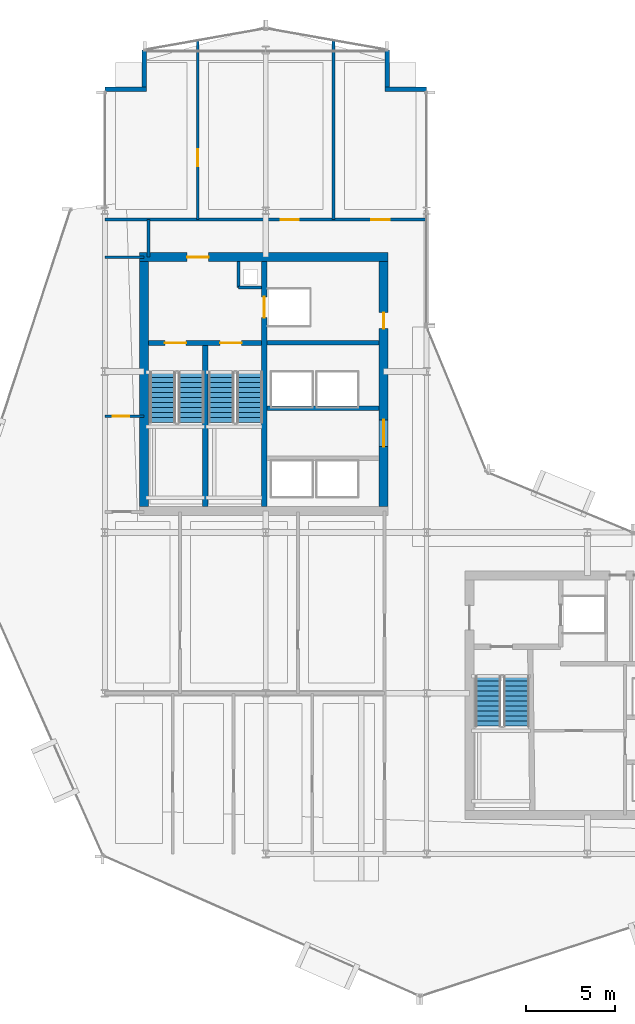
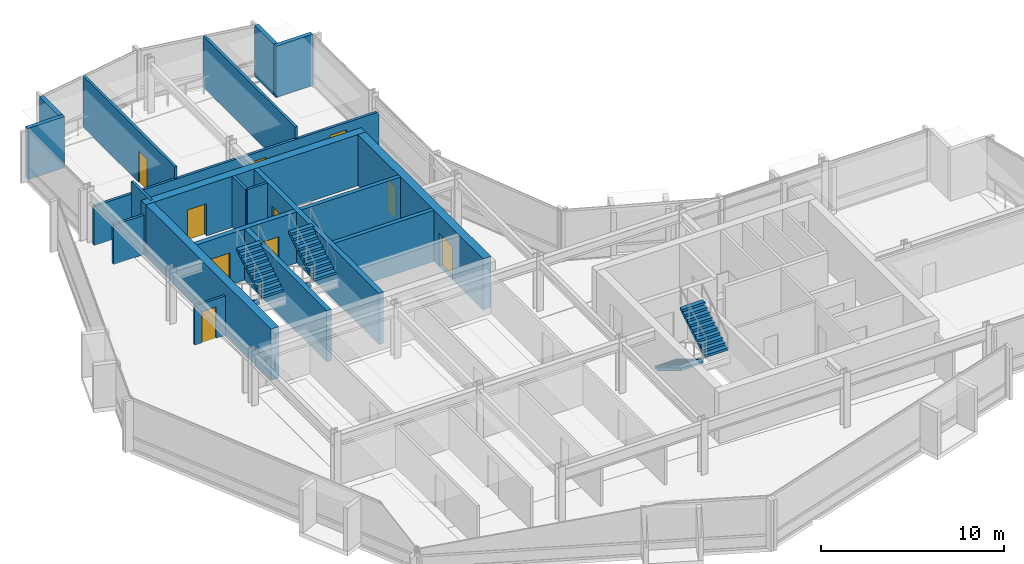
# One storey, part 23 of 28: 20 walls, 10 doors, 6 stair flights, 10 openings, 3 elements without a shape of their own.
"""IFC4 building model written with IfcOpenShell, lengths in metres."""

from ifc_helpers import new_model, si_unit, direction, frame, frame_2d, origin, place, context, subcontext, project, spatial, polyline, rectangle, outline, extrude, material, layer, layer_set, type_object, element, fill, aggregate, save


model = new_model("IFC4")

# Units and contexts
model_context = context("Model", 3, precision=1e-05, world=origin(), true_north=direction((0.0, 1.0)))
body_context = subcontext(model_context, "Body", "Model", "MODEL_VIEW")
ifc_project = project(units=[si_unit("LENGTHUNIT", "METRE"), si_unit("AREAUNIT", "SQUARE_METRE"), si_unit("VOLUMEUNIT", "CUBIC_METRE"), si_unit("PLANEANGLEUNIT", "RADIAN"), si_unit("MASSUNIT", "GRAM", prefix="KILO")], contexts=[model_context])

# Site, building, storey
site_placement = place(None, origin())
site = spatial("IfcSite", under=ifc_project, at=site_placement, CompositionType="ELEMENT")
building_placement = place(site_placement, origin())
building = spatial("IfcBuilding", under=site, at=building_placement, Name="Solvaryn Broadcast Tower", CompositionType="ELEMENT")
storey_placement = place(building_placement, frame((0.0, 0.0, 150.699951171875)))
storey = spatial("IfcBuildingStorey", under=building, at=storey_placement, Name="L37", CompositionType="ELEMENT", Elevation=150.699951171875)

# Wall, opening, door
ifc_material_1 = material(Name="Concrete f'c 70 MPa", Category="concrete")
ifc_layer_1 = layer(ifc_material_1, 0.5)
ifc_layer_set_1 = layer_set([ifc_layer_1], Name="CW-SHEAR-500")
wall_type_1 = type_object("IfcWallType", Name="CW-SHEAR-500", PredefinedType="SHEAR", material=ifc_layer_set_1)
wall_1_placement = place(storey_placement, frame((24.85009765625, 42.39990234375, 0.0), z_axis=(0.0, 0.0, 1.0), x_axis=(-1.0, 0.0, 0.0)))
wall_1 = element("IfcWall", 1, at=wall_1_placement, inside=storey, type_object=wall_type_1, Name="L37 West Core North Shear Wall", PredefinedType="SHEAR", context=body_context, shape_type="SweptSolid", body=[
    extrude(rectangle(XDim=13.900146484375, YDim=0.5, at=frame_2d((6.9501953125, 0.0))), origin(), (0.0, 0.0, 1.0), 3.420166015625),
])
opening_1_placement = place(wall_1_placement, frame((10.050048828125, 0.0, 0.0)))
opening_1 = element("IfcOpeningElement", 2, at=opening_1_placement, cuts=wall_1, Name="Opening FD90A", PredefinedType="OPENING", context=body_context, shape_type="SweptSolid", body=[
    extrude(rectangle(XDim=1.199951171875, YDim=2.14990234375, at=frame_2d((0.60009765625, 1.074951171875))), frame((0.0, 0.260009765625, 0.0), z_axis=(0.0, -1.0, 0.0), x_axis=(1.0, 0.0, 0.0)), (0.0, 0.0, 1.0), 0.52001953125),
])
ifc_material_2 = material(Name="Flush Acoustic Steel and Timber Door Assembly", Category="steel")
door_type_1 = type_object("IfcDoorType", Name="FD90-STAIR-1200X2150", OperationType="NOTDEFINED", PredefinedType="DOOR", material=ifc_material_2)
door_1_placement = place(opening_1_placement, origin())
door_1 = element("IfcDoor", 3, at=door_1_placement, inside=storey, type_object=door_type_1, Name="L37 West FSAE Lobby Corridor Door", OperationType="SINGLE_SWING_LEFT", OverallHeight=2.14990234375, OverallWidth=1.199951171875, PredefinedType="DOOR", context=body_context, shape_type="SweptSolid", body=[
    extrude(rectangle(XDim=1.199951171875, YDim=2.14990234375, at=frame_2d((0.60009765625, 1.074951171875))), frame((0.0, 0.02490234375, 0.0), z_axis=(0.0, -1.0, 0.0), x_axis=(1.0, 0.0, 0.0)), (0.0, 0.0, 1.0), 0.050048828125),
])
fill(opening_1, door_1)

# Wall
wall_2_placement = place(storey_placement, frame((11.199951171875, 42.14990234375, 0.0), z_axis=(0.0, 0.0, 1.0), x_axis=(0.0, -1.0, 0.0)))
element("IfcWall", 4, at=wall_2_placement, inside=storey, type_object=wall_type_1, Name="L37 West Core West Shear Wall", PredefinedType="SHEAR", context=body_context, shape_type="SweptSolid", body=[
    extrude(rectangle(XDim=13.699951171875, YDim=0.5, at=frame_2d((6.85009765625, 0.0))), origin(), (0.0, 0.0, 1.0), 3.420166015625),
])

# Wall, openings, doors
wall_3_placement = place(storey_placement, frame((24.60009765625, 28.449951171875, 0.0), z_axis=(0.0, 0.0, 1.0), x_axis=(0.0, 1.0, 0.0)))
wall_3 = element("IfcWall", 5, at=wall_3_placement, inside=storey, type_object=wall_type_1, Name="L37 West Core East Shear Wall", PredefinedType="SHEAR", context=body_context, shape_type="SweptSolid", body=[
    extrude(rectangle(XDim=13.699951171875, YDim=0.5, at=frame_2d((6.85009765625, 0.0))), origin(), (0.0, 0.0, 1.0), 3.420166015625),
])
opening_2_placement = place(wall_3_placement, frame((3.35009765625, 0.0, 0.0)))
opening_2 = element("IfcOpeningElement", 6, at=opening_2_placement, cuts=wall_3, Name="Opening FD60A", PredefinedType="OPENING", context=body_context, shape_type="SweptSolid", body=[
    extrude(rectangle(XDim=1.5, YDim=2.199951171875, at=frame_2d((0.75, 1.10009765625))), frame((0.0, 0.260009765625, 0.0), z_axis=(0.0, -1.0, 0.0), x_axis=(1.0, 0.0, 0.0)), (0.0, 0.0, 1.0), 0.52001953125),
])
opening_3_placement = place(wall_3_placement, frame((9.949951171875, 0.0, 0.0)))
opening_3 = element("IfcOpeningElement", 7, at=opening_3_placement, cuts=wall_3, Name="Opening FD60C", PredefinedType="OPENING", context=body_context, shape_type="SweptSolid", body=[
    extrude(rectangle(XDim=0.89990234375, YDim=2.10009765625, at=frame_2d((0.449951171875, 1.050048828125))), frame((0.0, 0.260009765625, 0.0), z_axis=(0.0, -1.0, 0.0), x_axis=(1.0, 0.0, 0.0)), (0.0, 0.0, 1.0), 0.52001953125),
])
ifc_material_3 = material(Name="Flush Acoustic Steel and Timber Door Assembly", Category="steel")
door_type_2 = type_object("IfcDoorType", Name="FD60-CORR-1500X2200", OperationType="NOTDEFINED", PredefinedType="DOOR", material=ifc_material_3)
door_2_placement = place(opening_2_placement, origin())
door_2 = element("IfcDoor", 8, at=door_2_placement, inside=storey, type_object=door_type_2, Name="L37 West Elevator Lobby Corridor Door", OperationType="DOUBLE_DOOR_SINGLE_SWING", OverallHeight=2.199951171875, OverallWidth=1.5, PredefinedType="DOOR", context=body_context, shape_type="SweptSolid", body=[
    extrude(rectangle(XDim=1.5, YDim=2.199951171875, at=frame_2d((0.75, 1.10009765625))), frame((0.0, 0.02490234375, 0.0), z_axis=(0.0, -1.0, 0.0), x_axis=(1.0, 0.0, 0.0)), (0.0, 0.0, 1.0), 0.050048828125),
])
fill(opening_2, door_2)
ifc_material_4 = material(Name="Flush Acoustic Steel and Timber Door Assembly", Category="steel")
door_type_3 = type_object("IfcDoorType", Name="FD60-SERV-900X2100", OperationType="NOTDEFINED", PredefinedType="DOOR", material=ifc_material_4)
door_3_placement = place(opening_3_placement, origin())
door_3 = element("IfcDoor", 9, at=door_3_placement, inside=storey, type_object=door_type_3, Name="L37 West Core Service Door 1", OperationType="SINGLE_SWING_LEFT", OverallHeight=2.10009765625, OverallWidth=0.89990234375, PredefinedType="DOOR", context=body_context, shape_type="SweptSolid", body=[
    extrude(rectangle(XDim=0.89990234375, YDim=2.10009765625, at=frame_2d((0.449951171875, 1.050048828125))), frame((0.0, 0.02490234375, 0.0), z_axis=(0.0, -1.0, 0.0), x_axis=(1.0, 0.0, 0.0)), (0.0, 0.0, 1.0), 0.050048828125),
])
fill(opening_3, door_3)

# Walls
ifc_material_5 = material(Name="Concrete f'c 50 MPa", Category="concrete")
ifc_layer_2 = layer(ifc_material_5, 0.260009765625)
ifc_layer_set_2 = layer_set([ifc_layer_2], Name="EW-PIER-260")
wall_type_2 = type_object("IfcWallType", Name="EW-PIER-260", PredefinedType="SOLIDWALL", material=ifc_layer_set_2)
wall_4_placement = place(storey_placement, frame((9.0, 51.800048828125, 0.0), z_axis=(0.0, 0.0, 1.0), x_axis=(1.0, 0.0, 0.0)))
element("IfcWall", 10, at=wall_4_placement, inside=storey, type_object=wall_type_2, Name="L37 Notched Corner Pier Wall NNW1", PredefinedType="SOLIDWALL", context=body_context, shape_type="SweptSolid", body=[
    extrude(rectangle(XDim=2.320068359375, YDim=0.260009765625, at=frame_2d((1.16015625, 0.0))), origin(), (0.0, 0.0, 1.0), 3.420166015625),
])
for number, where, z_axis, x_axis, name in (
    (11, (11.199951171875, 51.919921875, 0.0), (0.0, 0.0, 1.0), (0.0, 1.0, 0.0), "L37 Notched Corner Pier Wall NNW2"),
    (12, (24.800048828125, 54.0, 0.0), (0.0, 0.0, 1.0), (0.0, -1.0, 0.0), "L37 Notched Corner Pier Wall NNE1"),
):
    element("IfcWall", number, at=place(storey_placement, frame(where, z_axis=z_axis, x_axis=x_axis)), inside=storey, type_object=wall_type_2, Name=name, PredefinedType="SOLIDWALL", context=body_context, shape_type="SweptSolid", body=[
        extrude(rectangle(XDim=2.080078125, YDim=0.260009765625, at=frame_2d((1.0400390625, 0.0))), origin(), (0.0, 0.0, 1.0), 3.420166015625),
    ])
wall_5_placement = place(storey_placement, frame((24.679931640625, 51.800048828125, 0.0), z_axis=(0.0, 0.0, 1.0), x_axis=(1.0, 0.0, 0.0)))
element("IfcWall", 13, at=wall_5_placement, inside=storey, type_object=wall_type_2, Name="L37 Notched Corner Pier Wall NNE2", PredefinedType="SOLIDWALL", context=body_context, shape_type="SweptSolid", body=[
    extrude(rectangle(XDim=2.320068359375, YDim=0.260009765625, at=frame_2d((1.16015625, 0.0))), origin(), (0.0, 0.0, 1.0), 3.420166015625),
])
ifc_material_6 = material(Name="Metal-Stud Service Core Partition")
ifc_layer_3 = layer(ifc_material_6, 0.14990234375)
ifc_layer_set_3 = layer_set([ifc_layer_3], Name="IW-PART-150")
wall_type_3 = type_object("IfcWallType", Name="IW-PART-150", PredefinedType="PARTITIONING", material=ifc_layer_set_3)
wall_6_placement = place(storey_placement, frame((16.47998046875, 40.699951171875, 0.0), z_axis=(0.0, 0.0, 1.0), x_axis=(1.0, 0.0, 0.0)))
element("IfcWall", 14, at=wall_6_placement, inside=storey, type_object=wall_type_3, Name="L37 West Core Riser Shaft South Wall", PredefinedType="PARTITIONING", context=body_context, shape_type="SweptSolid", body=[
    extrude(rectangle(XDim=1.2900390625, YDim=0.14990234375, at=frame_2d((0.64501953125, 0.0))), origin(), (0.0, 0.0, 1.0), 3.420166015625),
])
wall_7_placement = place(storey_placement, frame((16.47998046875, 40.699951171875, 0.0), z_axis=(0.0, 0.0, 1.0), x_axis=(0.0, 1.0, 0.0)))
element("IfcWall", 15, at=wall_7_placement, inside=storey, type_object=wall_type_3, Name="L37 West Core Riser Shaft West Wall", PredefinedType="PARTITIONING", context=body_context, shape_type="SweptSolid", body=[
    extrude(rectangle(XDim=1.449951171875, YDim=0.14990234375, at=frame_2d((0.72509765625, 0.0))), origin(), (0.0, 0.0, 1.0), 3.420166015625),
])

# Wall, opening, door
wall_8_placement = place(storey_placement, frame((9.0, 33.5, 0.0), z_axis=(0.0, 0.0, 1.0), x_axis=(1.0, 0.0, 0.0)))
wall_8 = element("IfcWall", 16, at=wall_8_placement, inside=storey, type_object=wall_type_3, Name="L37 Interior Partition IW-L37-WM-M", PredefinedType="PARTITIONING", context=body_context, shape_type="SweptSolid", body=[
    extrude(rectangle(XDim=2.199951171875, YDim=0.14990234375, at=frame_2d((1.10009765625, 0.0))), origin(), (0.0, 0.0, 1.0), 2.634033203125),
])
opening_4_placement = place(wall_8_placement, frame((0.449951171875, 0.0, 0.0)))
opening_4 = element("IfcOpeningElement", 17, at=opening_4_placement, cuts=wall_8, Name="Opening FD60C", PredefinedType="OPENING", context=body_context, shape_type="SweptSolid", body=[
    extrude(rectangle(XDim=0.89990234375, YDim=2.10009765625, at=frame_2d((0.449951171875, 1.050048828125))), frame((0.0, 0.0849609375, 0.0), z_axis=(0.0, -1.0, 0.0), x_axis=(1.0, 0.0, 0.0)), (0.0, 0.0, 1.0), 0.169921875),
])
door_4_placement = place(opening_4_placement, origin())
door_4 = element("IfcDoor", 18, at=door_4_placement, inside=storey, type_object=door_type_3, Name="L37 Door DR-L37-WM1", OperationType="SINGLE_SWING_LEFT", OverallHeight=2.10009765625, OverallWidth=0.89990234375, PredefinedType="DOOR", context=body_context, shape_type="SweptSolid", body=[
    extrude(rectangle(XDim=0.89990234375, YDim=2.10009765625, at=frame_2d((0.449951171875, 1.050048828125))), frame((0.0, 0.02490234375, 0.0), z_axis=(0.0, -1.0, 0.0), x_axis=(1.0, 0.0, 0.0)), (0.0, 0.0, 1.0), 0.050048828125),
])
fill(opening_4, door_4)

# Walls
ifc_material_7 = material(Name="Metal-Stud Gypsum Office Partition")
ifc_layer_4 = layer(ifc_material_7, 0.159912109375)
ifc_layer_set_4 = layer_set([ifc_layer_4], Name="IW-PART-160")
wall_type_4 = type_object("IfcWallType", Name="IW-PART-160", PredefinedType="PARTITIONING", material=ifc_layer_set_4)
wall_9_placement = place(storey_placement, frame((9.0, 42.39990234375, 0.0), z_axis=(0.0, 0.0, 1.0), x_axis=(1.0, 0.0, 0.0)))
element("IfcWall", 19, at=wall_9_placement, inside=storey, type_object=wall_type_4, Name="L37 Interior Partition IW-L37-WM-N", PredefinedType="PARTITIONING", context=body_context, shape_type="SweptSolid", body=[
    extrude(rectangle(XDim=2.199951171875, YDim=0.159912109375, at=frame_2d((1.10009765625, 0.0))), origin(), (0.0, 0.0, 1.0), 2.634033203125),
])
wall_10_placement = place(storey_placement, frame((11.449951171875, 42.39990234375, 0.0), z_axis=(0.0, 0.0, 1.0), x_axis=(0.0, 1.0, 0.0)))
element("IfcWall", 20, at=wall_10_placement, inside=storey, type_object=wall_type_4, Name="L37 Interior Partition IW-L37-WM-E", PredefinedType="PARTITIONING", context=body_context, shape_type="SweptSolid", body=[
    extrude(rectangle(XDim=2.10009765625, YDim=0.159912109375, at=frame_2d((1.050048828125, 0.0))), origin(), (0.0, 0.0, 1.0), 3.420166015625),
])

# Wall, openings, doors
wall_11_placement = place(storey_placement, frame((9.0, 44.5, 0.0), z_axis=(0.0, 0.0, 1.0), x_axis=(1.0, 0.0, 0.0)))
wall_11 = element("IfcWall", 21, at=wall_11_placement, inside=storey, type_object=wall_type_4, Name="L37 Interior Partition IW-L37-NW-SB", PredefinedType="PARTITIONING", context=body_context, shape_type="SweptSolid", body=[
    extrude(rectangle(XDim=18.0, YDim=0.159912109375, at=frame_2d((9.0, 0.0))), origin(), (0.0, 0.0, 1.0), 2.634033203125),
])
opening_5_placement = place(wall_11_placement, frame((9.85009765625, 0.0, 0.0)))
opening_5 = element("IfcOpeningElement", 22, at=opening_5_placement, cuts=wall_11, Name="Opening ID02", PredefinedType="OPENING", context=body_context, shape_type="SweptSolid", body=[
    extrude(rectangle(XDim=1.0, YDim=2.10009765625, at=frame_2d((0.5, 1.050048828125))), frame((0.0, 0.090087890625, 0.0), z_axis=(0.0, -1.0, 0.0), x_axis=(1.0, 0.0, 0.0)), (0.0, 0.0, 1.0), 0.179931640625),
])
opening_6_placement = place(wall_11_placement, frame((14.89990234375, 0.0, 0.0)))
opening_6 = element("IfcOpeningElement", 23, at=opening_6_placement, cuts=wall_11, Name="Opening ID03", PredefinedType="OPENING", context=body_context, shape_type="SweptSolid", body=[
    extrude(rectangle(XDim=1.050048828125, YDim=2.14990234375, at=frame_2d((0.52490234375, 1.074951171875))), frame((0.0, 0.090087890625, 0.0), z_axis=(0.0, -1.0, 0.0), x_axis=(1.0, 0.0, 0.0)), (0.0, 0.0, 1.0), 0.179931640625),
])
ifc_material_8 = material(Name="Flush Acoustic Steel and Timber Door Assembly", Category="steel")
door_type_4 = type_object("IfcDoorType", Name="ID-02-1000X2100", OperationType="NOTDEFINED", PredefinedType="DOOR", material=ifc_material_8)
door_5_placement = place(opening_5_placement, origin())
door_5 = element("IfcDoor", 24, at=door_5_placement, inside=storey, type_object=door_type_4, Name="L37 Door DR-L37-NW-2", OperationType="SINGLE_SWING_RIGHT", OverallHeight=2.10009765625, OverallWidth=1.0, PredefinedType="DOOR", context=body_context, shape_type="SweptSolid", body=[
    extrude(rectangle(XDim=1.0, YDim=2.10009765625, at=frame_2d((0.5, 1.050048828125))), frame((0.0, 0.02490234375, 0.0), z_axis=(0.0, -1.0, 0.0), x_axis=(1.0, 0.0, 0.0)), (0.0, 0.0, 1.0), 0.050048828125),
])
fill(opening_5, door_5)
ifc_material_9 = material(Name="Flush Acoustic Steel and Timber Door Assembly", Category="steel")
door_type_5 = type_object("IfcDoorType", Name="ID-03-1050X2150", OperationType="NOTDEFINED", PredefinedType="DOOR", material=ifc_material_9)
door_6_placement = place(opening_6_placement, origin())
door_6 = element("IfcDoor", 25, at=door_6_placement, inside=storey, type_object=door_type_5, Name="L37 Door DR-L37-NW-3", OperationType="SINGLE_SWING_LEFT", OverallHeight=2.14990234375, OverallWidth=1.050048828125, PredefinedType="DOOR", context=body_context, shape_type="SweptSolid", body=[
    extrude(rectangle(XDim=1.050048828125, YDim=2.14990234375, at=frame_2d((0.52490234375, 1.074951171875))), frame((0.0, 0.02490234375, 0.0), z_axis=(0.0, -1.0, 0.0), x_axis=(1.0, 0.0, 0.0)), (0.0, 0.0, 1.0), 0.050048828125),
])
fill(opening_6, door_6)

# Wall, opening, door
wall_12_placement = place(storey_placement, frame((14.199951171875, 44.5, 0.0), z_axis=(0.0, 0.0, 1.0), x_axis=(0.0, 1.0, 0.0)))
wall_12 = element("IfcWall", 26, at=wall_12_placement, inside=storey, type_object=wall_type_4, Name="L37 Interior Partition IW-L37-NW-V1", PredefinedType="PARTITIONING", context=body_context, shape_type="SweptSolid", body=[
    extrude(rectangle(XDim=10.029052734375, YDim=0.159912109375, at=frame_2d((5.0146484375, 0.0))), origin(), (0.0, 0.0, 1.0), 3.420166015625),
])
opening_7_placement = place(wall_12_placement, frame((3.0, 0.0, 0.0)))
opening_7 = element("IfcOpeningElement", 27, at=opening_7_placement, cuts=wall_12, Name="Opening ID01", PredefinedType="OPENING", context=body_context, shape_type="SweptSolid", body=[
    extrude(rectangle(XDim=0.949951171875, YDim=2.10009765625, at=frame_2d((0.47509765625, 1.050048828125))), frame((0.0, 0.090087890625, 0.0), z_axis=(0.0, -1.0, 0.0), x_axis=(1.0, 0.0, 0.0)), (0.0, 0.0, 1.0), 0.179931640625),
])
ifc_material_10 = material(Name="Flush Acoustic Steel and Timber Door Assembly", Category="steel")
door_type_6 = type_object("IfcDoorType", Name="ID-01-950X2100", OperationType="NOTDEFINED", PredefinedType="DOOR", material=ifc_material_10)
door_7_placement = place(opening_7_placement, origin())
door_7 = element("IfcDoor", 28, at=door_7_placement, inside=storey, type_object=door_type_6, Name="L37 Door DR-L37-NW-C1", OperationType="SINGLE_SWING_LEFT", OverallHeight=2.10009765625, OverallWidth=0.949951171875, PredefinedType="DOOR", context=body_context, shape_type="SweptSolid", body=[
    extrude(rectangle(XDim=0.949951171875, YDim=2.10009765625, at=frame_2d((0.47509765625, 1.050048828125))), frame((0.0, 0.02490234375, 0.0), z_axis=(0.0, -1.0, 0.0), x_axis=(1.0, 0.0, 0.0)), (0.0, 0.0, 1.0), 0.050048828125),
])
fill(opening_7, door_7)

# Walls
wall_13_placement = place(storey_placement, frame((21.800048828125, 44.5, 0.0), z_axis=(0.0, 0.0, 1.0), x_axis=(0.0, 1.0, 0.0)))
element("IfcWall", 29, at=wall_13_placement, inside=storey, type_object=wall_type_4, Name="L37 Interior Partition IW-L37-NW-V2", PredefinedType="PARTITIONING", context=body_context, shape_type="SweptSolid", body=[
    extrude(rectangle(XDim=10.029052734375, YDim=0.159912109375, at=frame_2d((5.0146484375, 0.0))), origin(), (0.0, 0.0, 1.0), 3.420166015625),
])
ifc_material_11 = material(Name="Concrete f'c 60 MPa", Category="concrete")
ifc_layer_5 = layer(ifc_material_11, 0.25)
ifc_layer_set_5 = layer_set([ifc_layer_5], Name="SW-SHAFT-250")
wall_type_5 = type_object("IfcWallType", Name="SW-SHAFT-250", PredefinedType="PARTITIONING", material=ifc_layer_set_5)
for number, where, z_axis, x_axis, name in (
    (30, (18.070068359375, 37.60009765625, 0.0), (0.0, 0.0, 1.0), (1.0, 0.0, 0.0), "L37 West Core FSAE Hoistway Front Wall"),
    (31, (24.35009765625, 33.949951171875, 0.0), (0.0, 0.0, 1.0), (-1.0, 0.0, 0.0), "L37 High-Rise Lift Bank North Wall"),
):
    element("IfcWall", number, at=place(storey_placement, frame(where, z_axis=z_axis, x_axis=x_axis)), inside=storey, type_object=wall_type_5, Name=name, PredefinedType="PARTITIONING", context=body_context, shape_type="SweptSolid", body=[
        extrude(rectangle(XDim=6.280029296875, YDim=0.25, at=frame_2d((3.14013671875, 0.0))), origin(), (0.0, 0.0, 1.0), 3.420166015625),
    ])
ifc_material_12 = material(Name="Concrete f'c 70 MPa", Category="concrete")
ifc_layer_6 = layer(ifc_material_12, 0.300048828125)
ifc_layer_set_6 = layer_set([ifc_layer_6], Name="SW-SHAFT-300")
wall_type_6 = type_object("IfcWallType", Name="SW-SHAFT-300", PredefinedType="SHEAR", material=ifc_layer_set_6)
wall_14_placement = place(storey_placement, frame((14.6201171875, 28.449951171875, 0.0), z_axis=(0.0, 0.0, 1.0), x_axis=(0.0, 1.0, 0.0)))
element("IfcWall", 32, at=wall_14_placement, inside=storey, type_object=wall_type_6, Name="L37 Stair 1-2 Dividing Wall", PredefinedType="SHEAR", context=body_context, shape_type="SweptSolid", body=[
    extrude(rectangle(XDim=9.0, YDim=0.300048828125, at=frame_2d((4.5, 0.0))), origin(), (0.0, 0.0, 1.0), 3.420166015625),
])

# Wall, opening, door
wall_15_placement = place(storey_placement, frame((17.919921875, 42.14990234375, 0.0), z_axis=(0.0, 0.0, 1.0), x_axis=(0.0, -1.0, 0.0)))
wall_15 = element("IfcWall", 33, at=wall_15_placement, inside=storey, type_object=wall_type_6, Name="L37 West Core Stair-Lobby Shear Wall", PredefinedType="SHEAR", context=body_context, shape_type="SweptSolid", body=[
    extrude(rectangle(XDim=13.699951171875, YDim=0.300048828125, at=frame_2d((6.85009765625, 0.0))), origin(), (0.0, 0.0, 1.0), 3.420166015625),
])
opening_8_placement = place(wall_15_placement, frame((1.97509765625, 0.0, 0.0)))
opening_8 = element("IfcOpeningElement", 34, at=opening_8_placement, cuts=wall_15, Name="Opening LD01", PredefinedType="OPENING", context=body_context, shape_type="SweptSolid", body=[
    extrude(rectangle(XDim=1.14990234375, YDim=2.14990234375, at=frame_2d((0.574951171875, 1.074951171875))), frame((0.0, 0.159912109375, 0.0), z_axis=(0.0, -1.0, 0.0), x_axis=(1.0, 0.0, 0.0)), (0.0, 0.0, 1.0), 0.320068359375),
])
ifc_material_13 = material(Name="Flush Acoustic Steel and Timber Door Assembly", Category="steel")
door_type_7 = type_object("IfcDoorType", Name="LD-LIFT-1150X2150", OperationType="NOTDEFINED", PredefinedType="DOOR", material=ifc_material_13)
door_8_placement = place(opening_8_placement, origin())
door_8 = element("IfcDoor", 35, at=door_8_placement, inside=storey, type_object=door_type_7, Name="L37 FL1 Lift Landing Door", OperationType="DOUBLE_DOOR_SLIDING", OverallHeight=2.14990234375, OverallWidth=1.14990234375, PredefinedType="DOOR", context=body_context, shape_type="SweptSolid", body=[
    extrude(rectangle(XDim=1.14990234375, YDim=2.14990234375, at=frame_2d((0.574951171875, 1.074951171875))), frame((0.0, 0.02490234375, 0.0), z_axis=(0.0, -1.0, 0.0), x_axis=(1.0, 0.0, 0.0)), (0.0, 0.0, 1.0), 0.050048828125),
])
fill(opening_8, door_8)

# Wall, openings, doors
wall_16_placement = place(storey_placement, frame((17.77001953125, 37.60009765625, 0.0), z_axis=(0.0, 0.0, 1.0), x_axis=(-1.0, 0.0, 0.0)))
wall_16 = element("IfcWall", 36, at=wall_16_placement, inside=storey, type_object=wall_type_6, Name="L37 West Core FSAE Lobby South Wall", PredefinedType="SHEAR", context=body_context, shape_type="SweptSolid", body=[
    extrude(rectangle(XDim=6.320068359375, YDim=0.300048828125, at=frame_2d((3.16015625, 0.0))), origin(), (0.0, 0.0, 1.0), 3.420166015625),
])
opening_9_placement = place(wall_16_placement, frame((4.219970703125, 0.0, 0.0)))
opening_9 = element("IfcOpeningElement", 37, at=opening_9_placement, cuts=wall_16, Name="Opening FD90A", PredefinedType="OPENING", context=body_context, shape_type="SweptSolid", body=[
    extrude(rectangle(XDim=1.199951171875, YDim=2.14990234375, at=frame_2d((0.60009765625, 1.074951171875))), frame((0.0, 0.159912109375, 0.0), z_axis=(0.0, -1.0, 0.0), x_axis=(1.0, 0.0, 0.0)), (0.0, 0.0, 1.0), 0.320068359375),
])
opening_10_placement = place(wall_16_placement, frame((1.1201171875, 0.0, 0.0)))
opening_10 = element("IfcOpeningElement", 38, at=opening_10_placement, cuts=wall_16, Name="Opening FD90A", PredefinedType="OPENING", context=body_context, shape_type="SweptSolid", body=[
    extrude(rectangle(XDim=1.199951171875, YDim=2.14990234375, at=frame_2d((0.60009765625, 1.074951171875))), frame((0.0, 0.159912109375, 0.0), z_axis=(0.0, -1.0, 0.0), x_axis=(1.0, 0.0, 0.0)), (0.0, 0.0, 1.0), 0.320068359375),
])
door_9_placement = place(opening_9_placement, origin())
door_9 = element("IfcDoor", 39, at=door_9_placement, inside=storey, type_object=door_type_1, Name="L37 Stair 1 Fire Door", OperationType="SINGLE_SWING_LEFT", OverallHeight=2.14990234375, OverallWidth=1.199951171875, PredefinedType="DOOR", context=body_context, shape_type="SweptSolid", body=[
    extrude(rectangle(XDim=1.199951171875, YDim=2.14990234375, at=frame_2d((0.60009765625, 1.074951171875))), frame((0.0, 0.02490234375, 0.0), z_axis=(0.0, -1.0, 0.0), x_axis=(1.0, 0.0, 0.0)), (0.0, 0.0, 1.0), 0.050048828125),
])
fill(opening_9, door_9)
door_10_placement = place(opening_10_placement, origin())
door_10 = element("IfcDoor", 40, at=door_10_placement, inside=storey, type_object=door_type_1, Name="L37 Stair 2 Fire Door", OperationType="SINGLE_SWING_RIGHT", OverallHeight=2.14990234375, OverallWidth=1.199951171875, PredefinedType="DOOR", context=body_context, shape_type="SweptSolid", body=[
    extrude(rectangle(XDim=1.199951171875, YDim=2.14990234375, at=frame_2d((0.60009765625, 1.074951171875))), frame((0.0, 0.02490234375, 0.0), z_axis=(0.0, -1.0, 0.0), x_axis=(1.0, 0.0, 0.0)), (0.0, 0.0, 1.0), 0.050048828125),
])
fill(opening_10, door_10)

# Stair, stair flights
ifc_material_14 = material(Name="Concrete f'c 60 MPa", Category="concrete")
stair_type = type_object("IfcStairType", Name="ST-CORE", PredefinedType="HALF_TURN_STAIR", material=ifc_material_14)
stair_1_placement = place(storey_placement, origin())
stair_1 = element("IfcStair", 41, at=stair_1_placement, inside=storey, type_object=stair_type, Name="L37 ST1", PredefinedType="HALF_TURN_STAIR")
ifc_material_15 = material(Name="Concrete f'c 60 MPa", Category="concrete")
ifc_layer_7 = layer(ifc_material_15, 0.159912109375)
ifc_layer_set_7 = layer_set([ifc_layer_7], Name="SF-CORE")
stair_flight_type = type_object("IfcStairFlightType", Name="SF-CORE", PredefinedType="STRAIGHT", material=ifc_layer_set_7)
stair_flight_1_placement = place(storey_placement, frame((12.239990234375, 35.9599609375, 0.0), z_axis=(0.0, 0.0, 1.0), x_axis=(0.0, -1.0, 0.0)))
stair_flight_1 = element("IfcStairFlight", 42, at=stair_flight_1_placement, type_object=stair_flight_type, Name="ST1 flight 1", NumberOfRisers=11, NumberOfTreads=10, PredefinedType="STRAIGHT", RiserHeight=0.168181818, TreadLength=0.28, context=body_context, shape_type="SweptSolid", body=[
    extrude(outline(polyline([(0.0, 0.0), (0.0, 0.168212890625), (0.280029296875, 0.168212890625), (0.280029296875, 0.33642578125), (0.56005859375, 0.33642578125), (0.56005859375, 0.504638671875), (0.840087890625, 0.504638671875), (0.840087890625, 0.672607421875), (1.1201171875, 0.672607421875), (1.1201171875, 0.8408203125), (1.39990234375, 0.8408203125), (1.39990234375, 1.009033203125), (1.679931640625, 1.009033203125), (1.679931640625, 1.17724609375), (1.9599609375, 1.17724609375), (1.9599609375, 1.345458984375), (2.239990234375, 1.345458984375), (2.239990234375, 1.513671875), (2.52001953125, 1.513671875), (2.52001953125, 1.681884765625), (2.800048828125, 1.681884765625), (2.800048828125, 1.85009765625), (2.800048828125, 1.5068359375), (0.291015625, 0.0), (0.0, 0.0)])), frame((0.0, 0.719970703125, 0.0), z_axis=(0.0, -1.0, 0.0), x_axis=(1.0, 0.0, 0.0)), (0.0, 0.0, 1.0), 1.43994140625),
])
stair_flight_2_placement = place(storey_placement, frame((13.830078125, 33.159912109375, 1.85009765625), z_axis=(0.0, 0.0, 1.0), x_axis=(0.0, 1.0, 0.0)))
stair_flight_2 = element("IfcStairFlight", 43, at=stair_flight_2_placement, type_object=stair_flight_type, Name="ST1 flight 2", NumberOfRisers=11, NumberOfTreads=10, PredefinedType="STRAIGHT", RiserHeight=0.168181818, TreadLength=0.28, context=body_context, shape_type="SweptSolid", body=[
    extrude(outline(polyline([(0.0, 0.0), (0.0, 0.168212890625), (0.280029296875, 0.168212890625), (0.280029296875, 0.33642578125), (0.56005859375, 0.33642578125), (0.56005859375, 0.504638671875), (0.840087890625, 0.504638671875), (0.840087890625, 0.672607421875), (1.1201171875, 0.672607421875), (1.1201171875, 0.8408203125), (1.39990234375, 0.8408203125), (1.39990234375, 1.009033203125), (1.679931640625, 1.009033203125), (1.679931640625, 1.17724609375), (1.9599609375, 1.17724609375), (1.9599609375, 1.345458984375), (2.239990234375, 1.345458984375), (2.239990234375, 1.513671875), (2.52001953125, 1.513671875), (2.52001953125, 1.681884765625), (2.800048828125, 1.681884765625), (2.800048828125, 1.85009765625), (2.800048828125, 1.5068359375), (0.291015625, 0.0), (0.0, 0.0)])), frame((0.0, 0.719970703125, 0.0), z_axis=(0.0, -1.0, 0.0), x_axis=(1.0, 0.0, 0.0)), (0.0, 0.0, 1.0), 1.43994140625),
])
aggregate(stair_1, [stair_flight_1, stair_flight_2])

stair_2_placement = place(storey_placement, origin())
stair_2 = element("IfcStair", 44, at=stair_2_placement, inside=storey, type_object=stair_type, Name="L37 ST2", PredefinedType="HALF_TURN_STAIR")
stair_flight_3_placement = place(storey_placement, frame((15.52001953125, 35.9599609375, 0.0), z_axis=(0.0, 0.0, 1.0), x_axis=(0.0, -1.0, 0.0)))
stair_flight_3 = element("IfcStairFlight", 45, at=stair_flight_3_placement, type_object=stair_flight_type, Name="ST2 flight 1", NumberOfRisers=11, NumberOfTreads=10, PredefinedType="STRAIGHT", RiserHeight=0.168181818, TreadLength=0.28, context=body_context, shape_type="SweptSolid", body=[
    extrude(outline(polyline([(0.0, 0.0), (0.0, 0.168212890625), (0.280029296875, 0.168212890625), (0.280029296875, 0.33642578125), (0.56005859375, 0.33642578125), (0.56005859375, 0.504638671875), (0.840087890625, 0.504638671875), (0.840087890625, 0.672607421875), (1.1201171875, 0.672607421875), (1.1201171875, 0.8408203125), (1.39990234375, 0.8408203125), (1.39990234375, 1.009033203125), (1.679931640625, 1.009033203125), (1.679931640625, 1.17724609375), (1.9599609375, 1.17724609375), (1.9599609375, 1.345458984375), (2.239990234375, 1.345458984375), (2.239990234375, 1.513671875), (2.52001953125, 1.513671875), (2.52001953125, 1.681884765625), (2.800048828125, 1.681884765625), (2.800048828125, 1.85009765625), (2.800048828125, 1.5068359375), (0.291015625, 0.0), (0.0, 0.0)])), frame((0.0, 0.719970703125, 0.0), z_axis=(0.0, -1.0, 0.0), x_axis=(1.0, 0.0, 0.0)), (0.0, 0.0, 1.0), 1.43994140625),
])
stair_flight_4_placement = place(storey_placement, frame((17.110107421875, 33.159912109375, 1.85009765625), z_axis=(0.0, 0.0, 1.0), x_axis=(0.0, 1.0, 0.0)))
stair_flight_4 = element("IfcStairFlight", 46, at=stair_flight_4_placement, type_object=stair_flight_type, Name="ST2 flight 2", NumberOfRisers=11, NumberOfTreads=10, PredefinedType="STRAIGHT", RiserHeight=0.168181818, TreadLength=0.28, context=body_context, shape_type="SweptSolid", body=[
    extrude(outline(polyline([(0.0, 0.0), (0.0, 0.168212890625), (0.280029296875, 0.168212890625), (0.280029296875, 0.33642578125), (0.56005859375, 0.33642578125), (0.56005859375, 0.504638671875), (0.840087890625, 0.504638671875), (0.840087890625, 0.672607421875), (1.1201171875, 0.672607421875), (1.1201171875, 0.8408203125), (1.39990234375, 0.8408203125), (1.39990234375, 1.009033203125), (1.679931640625, 1.009033203125), (1.679931640625, 1.17724609375), (1.9599609375, 1.17724609375), (1.9599609375, 1.345458984375), (2.239990234375, 1.345458984375), (2.239990234375, 1.513671875), (2.52001953125, 1.513671875), (2.52001953125, 1.681884765625), (2.800048828125, 1.681884765625), (2.800048828125, 1.85009765625), (2.800048828125, 1.5068359375), (0.291015625, 0.0), (0.0, 0.0)])), frame((0.0, 0.719970703125, 0.0), z_axis=(0.0, -1.0, 0.0), x_axis=(1.0, 0.0, 0.0)), (0.0, 0.0, 1.0), 1.43994140625),
])
aggregate(stair_2, [stair_flight_3, stair_flight_4])

stair_3_placement = place(storey_placement, origin())
stair_3 = element("IfcStair", 47, at=stair_3_placement, inside=storey, type_object=stair_type, Name="L37 ST3", PredefinedType="HALF_TURN_STAIR")
stair_flight_5_placement = place(storey_placement, frame((30.43994140625, 18.9599609375, 0.0), z_axis=(0.0, 0.0, 1.0), x_axis=(0.0, -1.0, 0.0)))
stair_flight_5 = element("IfcStairFlight", 48, at=stair_flight_5_placement, type_object=stair_flight_type, Name="ST3 flight 1", NumberOfRisers=11, NumberOfTreads=10, PredefinedType="STRAIGHT", RiserHeight=0.168181818, TreadLength=0.28, context=body_context, shape_type="SweptSolid", body=[
    extrude(outline(polyline([(0.0, 0.0), (0.0, 0.168212890625), (0.280029296875, 0.168212890625), (0.280029296875, 0.33642578125), (0.56005859375, 0.33642578125), (0.56005859375, 0.504638671875), (0.840087890625, 0.504638671875), (0.840087890625, 0.672607421875), (1.1201171875, 0.672607421875), (1.1201171875, 0.8408203125), (1.39990234375, 0.8408203125), (1.39990234375, 1.009033203125), (1.679931640625, 1.009033203125), (1.679931640625, 1.17724609375), (1.9599609375, 1.17724609375), (1.9599609375, 1.345458984375), (2.239990234375, 1.345458984375), (2.239990234375, 1.513671875), (2.52001953125, 1.513671875), (2.52001953125, 1.681884765625), (2.800048828125, 1.681884765625), (2.800048828125, 1.85009765625), (2.800048828125, 1.5068359375), (0.291015625, 0.0), (0.0, 0.0)])), frame((0.0, 0.719970703125, 0.0), z_axis=(0.0, -1.0, 0.0), x_axis=(1.0, 0.0, 0.0)), (0.0, 0.0, 1.0), 1.43994140625),
])
stair_flight_6_placement = place(storey_placement, frame((32.030029296875, 16.159912109375, 1.85009765625), z_axis=(0.0, 0.0, 1.0), x_axis=(0.0, 1.0, 0.0)))
stair_flight_6 = element("IfcStairFlight", 49, at=stair_flight_6_placement, type_object=stair_flight_type, Name="ST3 flight 2", NumberOfRisers=11, NumberOfTreads=10, PredefinedType="STRAIGHT", RiserHeight=0.168181818, TreadLength=0.28, context=body_context, shape_type="SweptSolid", body=[
    extrude(outline(polyline([(0.0, 0.0), (0.0, 0.168212890625), (0.280029296875, 0.168212890625), (0.280029296875, 0.33642578125), (0.56005859375, 0.33642578125), (0.56005859375, 0.504638671875), (0.840087890625, 0.504638671875), (0.840087890625, 0.672607421875), (1.1201171875, 0.672607421875), (1.1201171875, 0.8408203125), (1.39990234375, 0.8408203125), (1.39990234375, 1.009033203125), (1.679931640625, 1.009033203125), (1.679931640625, 1.17724609375), (1.9599609375, 1.17724609375), (1.9599609375, 1.345458984375), (2.239990234375, 1.345458984375), (2.239990234375, 1.513671875), (2.52001953125, 1.513671875), (2.52001953125, 1.681884765625), (2.800048828125, 1.681884765625), (2.800048828125, 1.85009765625), (2.800048828125, 1.5068359375), (0.291015625, 0.0), (0.0, 0.0)])), frame((0.0, 0.719970703125, 0.0), z_axis=(0.0, -1.0, 0.0), x_axis=(1.0, 0.0, 0.0)), (0.0, 0.0, 1.0), 1.43994140625),
])
aggregate(stair_3, [stair_flight_5, stair_flight_6])

save(model, "model.ifc")
